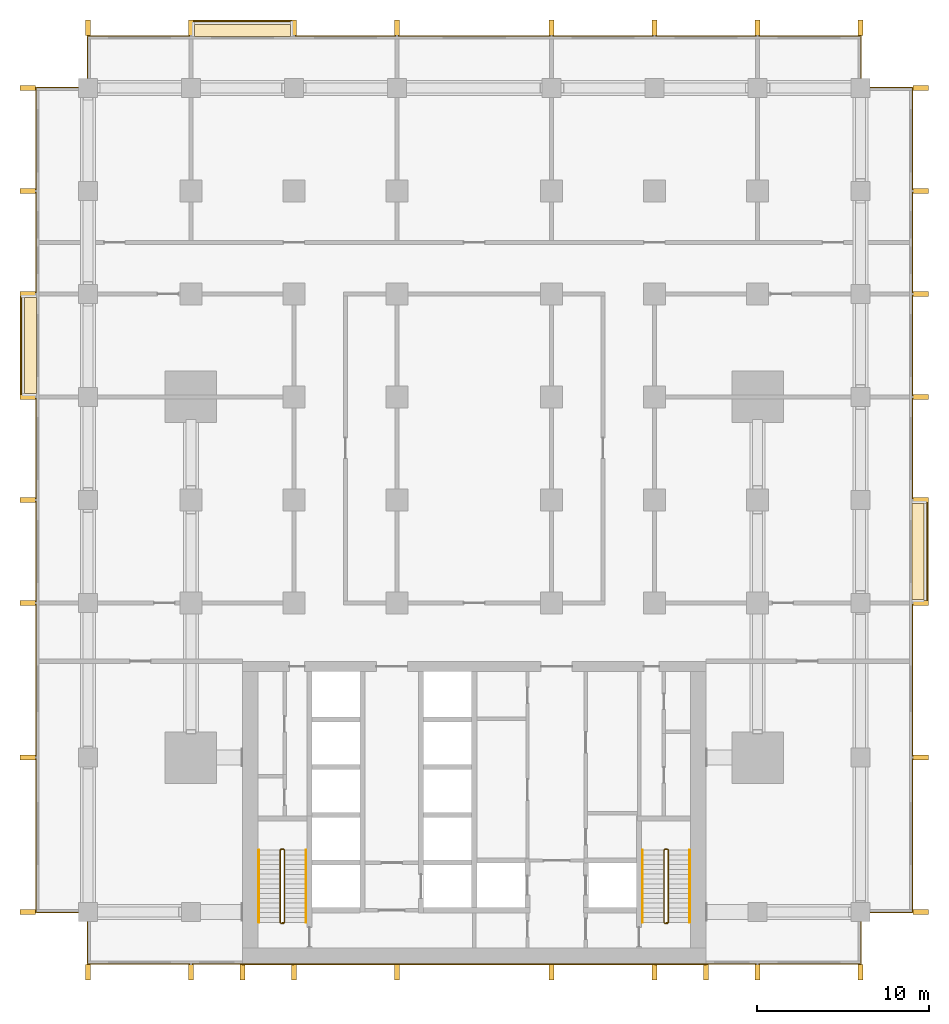
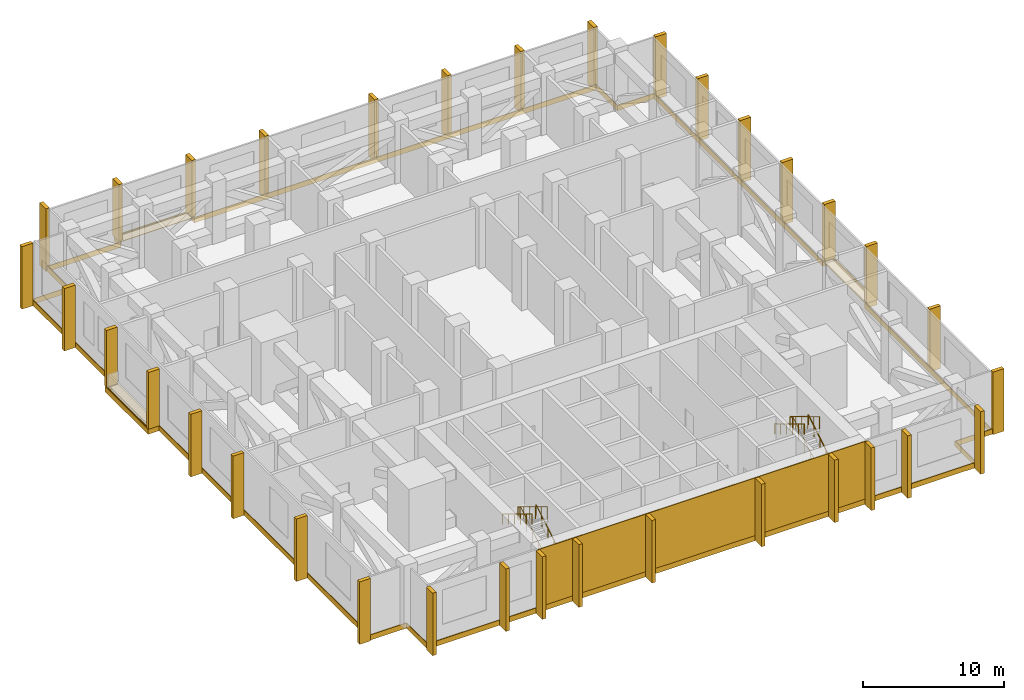
# One storey, part 13 of 13: 34 shading devices, 9 coverings, 6 railings.
"""IFC4 building model written with IfcOpenShell, lengths in metres."""

from ifc_helpers import new_model, si_unit, direction, frame, origin, origin_2d, place, context, subcontext, project, spatial, polyline, rectangle, circle, outline, extrude, material, layer, layer_set, type_object, element, save


model = new_model("IFC4")

# Units and contexts
model_context = context("Model", 3, precision=1e-05, world=origin(), true_north=direction((0.0, 1.0)))
body_context = subcontext(model_context, "Body", "Model", "MODEL_VIEW")
ifc_project = project(units=[si_unit("LENGTHUNIT", "METRE"), si_unit("AREAUNIT", "SQUARE_METRE"), si_unit("VOLUMEUNIT", "CUBIC_METRE"), si_unit("PLANEANGLEUNIT", "RADIAN"), si_unit("MASSUNIT", "GRAM", prefix="KILO")], contexts=[model_context])

# Site, building, storey
site_placement = place(None, origin())
site = spatial("IfcSite", under=ifc_project, at=site_placement, CompositionType="ELEMENT")
building_placement = place(site_placement, origin())
building = spatial("IfcBuilding", under=site, at=building_placement, Name="Finial Court Residences", CompositionType="ELEMENT")
storey_placement = place(building_placement, frame((0.0, 0.0, 75.699951171875)))
storey = spatial("IfcBuildingStorey", under=building, at=storey_placement, Name="L18", CompositionType="ELEMENT", Elevation=75.699951171875)

# Coverings
ifc_material_1 = material(Name="Natural limestone", Category="masonry")
ifc_layer_1 = layer(ifc_material_1, 0.06005859375)
ifc_layer_set_1 = layer_set([ifc_layer_1], Name="Limestone cladding to the blind core face 60")
covering_type_1 = type_object("IfcCoveringType", Name="Limestone cladding to the blind core face 60", PredefinedType="CLADDING", material=ifc_layer_set_1)
covering_1_placement = place(storey_placement, origin())
element("IfcCovering", 1, at=covering_1_placement, inside=storey, type_object=covering_type_1, Name="E-L18-CLAD1", PredefinedType="CLADDING", context=body_context, shape_type="SweptSolid", body=[
    extrude(outline(polyline([(-10.5, -25.56005859375), (-10.5, -25.5), (-13.5, -25.5), (-13.5, -25.56005859375), (-10.5, -25.56005859375)])), origin(), (0.0, 0.0, 1.0), 5.0),
])
covering_2_placement = place(storey_placement, origin())
element("IfcCovering", 2, at=covering_2_placement, inside=storey, type_object=covering_type_1, Name="E-L18-CLAD2", PredefinedType="CLADDING", context=body_context, shape_type="SweptSolid", body=[
    extrude(outline(polyline([(-4.5, -25.56005859375), (-4.5, -25.5), (-10.5, -25.5), (-10.5, -25.56005859375), (-4.5, -25.56005859375)])), origin(), (0.0, 0.0, 1.0), 5.0),
])
covering_3_placement = place(storey_placement, origin())
element("IfcCovering", 3, at=covering_3_placement, inside=storey, type_object=covering_type_1, Name="E-L18-CLAD3", PredefinedType="CLADDING", context=body_context, shape_type="SweptSolid", body=[
    extrude(outline(polyline([(4.5, -25.56005859375), (4.5, -25.5), (-4.5, -25.5), (-4.5, -25.56005859375), (4.5, -25.56005859375)])), origin(), (0.0, 0.0, 1.0), 5.0),
])
covering_4_placement = place(storey_placement, origin())
element("IfcCovering", 4, at=covering_4_placement, inside=storey, type_object=covering_type_1, Name="E-L18-CLAD4", PredefinedType="CLADDING", context=body_context, shape_type="SweptSolid", body=[
    extrude(outline(polyline([(10.5, -25.56005859375), (10.5, -25.5), (4.5, -25.5), (4.5, -25.56005859375), (10.5, -25.56005859375)])), origin(), (0.0, 0.0, 1.0), 5.0),
])
covering_5_placement = place(storey_placement, origin())
element("IfcCovering", 5, at=covering_5_placement, inside=storey, type_object=covering_type_1, Name="E-L18-CLAD5", PredefinedType="CLADDING", context=body_context, shape_type="SweptSolid", body=[
    extrude(outline(polyline([(13.5, -25.56005859375), (13.5, -25.5), (10.5, -25.5), (10.5, -25.56005859375), (13.5, -25.56005859375)])), origin(), (0.0, 0.0, 1.0), 5.0),
])

# Shading devices
shading_device_type = type_object("IfcShadingDeviceType", Name="Limestone fin 300 x 900", PredefinedType="USERDEFINED", material=ifc_material_1)
shading_device_placement = place(storey_placement, frame((-22.5, 29.010009765625, -0.44970703125), z_axis=(0.0, 0.0, 1.0), x_axis=(1.0, 0.0, 0.0)))
element("IfcShadingDevice", 6, at=shading_device_placement, inside=storey, type_object=shading_device_type, Name="E-L18-FIN-N1", ObjectType="FIN", PredefinedType="USERDEFINED", context=body_context, shape_type="SweptSolid", body=[
    extrude(rectangle(XDim=0.300048828125, YDim=0.89990234375, at=origin_2d()), origin(), (0.0, 0.0, 1.0), 5.429931640625),
])
for number, where, z_axis, x_axis, name in (
    (7, (-16.5, 29.010009765625, 0.0400390625), (0.0, 0.0, 1.0), (1.0, 0.0, 0.0), "E-L18-FIN-N2"),
    (8, (-10.5, 29.010009765625, 0.0400390625), (0.0, 0.0, 1.0), (1.0, 0.0, 0.0), "E-L18-FIN-N3"),
):
    element("IfcShadingDevice", number, at=place(storey_placement, frame(where, z_axis=z_axis, x_axis=x_axis)), inside=storey, type_object=shading_device_type, Name=name, ObjectType="FIN", PredefinedType="USERDEFINED", context=body_context, shape_type="SweptSolid", body=[
        extrude(rectangle(XDim=0.300048828125, YDim=0.89990234375, at=origin_2d()), origin(), (0.0, 0.0, 1.0), 4.93994140625),
    ])
for number, where, z_axis, x_axis, name in (
    (9, (-4.5, 29.010009765625, -0.44970703125), (0.0, 0.0, 1.0), (1.0, 0.0, 0.0), "E-L18-FIN-N4"),
    (10, (4.5, 29.010009765625, -0.44970703125), (0.0, 0.0, 1.0), (1.0, 0.0, 0.0), "E-L18-FIN-N5"),
    (11, (10.5, 29.010009765625, -0.44970703125), (0.0, 0.0, 1.0), (1.0, 0.0, 0.0), "E-L18-FIN-N6"),
    (12, (16.5, 29.010009765625, -0.44970703125), (0.0, 0.0, 1.0), (1.0, 0.0, 0.0), "E-L18-FIN-N7"),
    (13, (22.5, 29.010009765625, -0.44970703125), (0.0, 0.0, 1.0), (1.0, 0.0, 0.0), "E-L18-FIN-N8"),
):
    element("IfcShadingDevice", number, at=place(storey_placement, frame(where, z_axis=z_axis, x_axis=x_axis)), inside=storey, type_object=shading_device_type, Name=name, ObjectType="FIN", PredefinedType="USERDEFINED", context=body_context, shape_type="SweptSolid", body=[
        extrude(rectangle(XDim=0.300048828125, YDim=0.89990234375, at=origin_2d()), origin(), (0.0, 0.0, 1.0), 5.429931640625),
    ])
for number, where, z_axis, x_axis, name in (
    (14, (26.010009765625, -22.5, -0.44970703125), (0.0, 0.0, 1.0), (1.0, 0.0, 0.0), "E-L18-FIN-E9"),
    (15, (26.010009765625, -13.5, -0.44970703125), (0.0, 0.0, 1.0), (1.0, 0.0, 0.0), "E-L18-FIN-E10"),
):
    element("IfcShadingDevice", number, at=place(storey_placement, frame(where, z_axis=z_axis, x_axis=x_axis)), inside=storey, type_object=shading_device_type, Name=name, ObjectType="FIN", PredefinedType="USERDEFINED", context=body_context, shape_type="SweptSolid", body=[
        extrude(rectangle(XDim=0.89990234375, YDim=0.300048828125, at=origin_2d()), origin(), (0.0, 0.0, 1.0), 5.429931640625),
    ])
for number, where, z_axis, x_axis, name in (
    (16, (26.010009765625, -4.5, 0.0400390625), (0.0, 0.0, 1.0), (1.0, 0.0, 0.0), "E-L18-FIN-E11"),
    (17, (26.010009765625, 1.5, 0.0400390625), (0.0, 0.0, 1.0), (1.0, 0.0, 0.0), "E-L18-FIN-E12"),
):
    element("IfcShadingDevice", number, at=place(storey_placement, frame(where, z_axis=z_axis, x_axis=x_axis)), inside=storey, type_object=shading_device_type, Name=name, ObjectType="FIN", PredefinedType="USERDEFINED", context=body_context, shape_type="SweptSolid", body=[
        extrude(rectangle(XDim=0.89990234375, YDim=0.300048828125, at=origin_2d()), origin(), (0.0, 0.0, 1.0), 4.93994140625),
    ])
for number, where, z_axis, x_axis, name in (
    (18, (26.010009765625, 7.5, -0.44970703125), (0.0, 0.0, 1.0), (1.0, 0.0, 0.0), "E-L18-FIN-E13"),
    (19, (26.010009765625, 13.5, -0.44970703125), (0.0, 0.0, 1.0), (1.0, 0.0, 0.0), "E-L18-FIN-E14"),
    (20, (26.010009765625, 19.5, -0.44970703125), (0.0, 0.0, 1.0), (1.0, 0.0, 0.0), "E-L18-FIN-E15"),
    (21, (26.010009765625, 25.5, -0.44970703125), (0.0, 0.0, 1.0), (1.0, 0.0, 0.0), "E-L18-FIN-E16"),
):
    element("IfcShadingDevice", number, at=place(storey_placement, frame(where, z_axis=z_axis, x_axis=x_axis)), inside=storey, type_object=shading_device_type, Name=name, ObjectType="FIN", PredefinedType="USERDEFINED", context=body_context, shape_type="SweptSolid", body=[
        extrude(rectangle(XDim=0.89990234375, YDim=0.300048828125, at=origin_2d()), origin(), (0.0, 0.0, 1.0), 5.429931640625),
    ])
for number, where, z_axis, x_axis, name in (
    (22, (-22.5, -26.010009765625, -0.44970703125), (0.0, 0.0, 1.0), (1.0, 0.0, 0.0), "E-L18-FIN-S17"),
    (23, (-16.5, -26.010009765625, -0.44970703125), (0.0, 0.0, 1.0), (1.0, 0.0, 0.0), "E-L18-FIN-S18"),
    (24, (-13.5, -26.010009765625, -0.44970703125), (0.0, 0.0, 1.0), (1.0, 0.0, 0.0), "E-L18-FIN-S19"),
    (25, (-10.5, -26.010009765625, -0.44970703125), (0.0, 0.0, 1.0), (1.0, 0.0, 0.0), "E-L18-FIN-S20"),
    (26, (-4.5, -26.010009765625, -0.44970703125), (0.0, 0.0, 1.0), (1.0, 0.0, 0.0), "E-L18-FIN-S21"),
    (27, (4.5, -26.010009765625, -0.44970703125), (0.0, 0.0, 1.0), (1.0, 0.0, 0.0), "E-L18-FIN-S22"),
    (28, (10.5, -26.010009765625, -0.44970703125), (0.0, 0.0, 1.0), (1.0, 0.0, 0.0), "E-L18-FIN-S23"),
    (29, (13.5, -26.010009765625, -0.44970703125), (0.0, 0.0, 1.0), (1.0, 0.0, 0.0), "E-L18-FIN-S24"),
    (30, (16.5, -26.010009765625, -0.44970703125), (0.0, 0.0, 1.0), (1.0, 0.0, 0.0), "E-L18-FIN-S25"),
    (31, (22.5, -26.010009765625, -0.44970703125), (0.0, 0.0, 1.0), (1.0, 0.0, 0.0), "E-L18-FIN-S26"),
):
    element("IfcShadingDevice", number, at=place(storey_placement, frame(where, z_axis=z_axis, x_axis=x_axis)), inside=storey, type_object=shading_device_type, Name=name, ObjectType="FIN", PredefinedType="USERDEFINED", context=body_context, shape_type="SweptSolid", body=[
        extrude(rectangle(XDim=0.300048828125, YDim=0.89990234375, at=origin_2d()), origin(), (0.0, 0.0, 1.0), 5.429931640625),
    ])
for number, where, z_axis, x_axis, name in (
    (32, (-26.010009765625, -22.5, -0.44970703125), (0.0, 0.0, 1.0), (1.0, 0.0, 0.0), "E-L18-FIN-W27"),
    (33, (-26.010009765625, -13.5, -0.44970703125), (0.0, 0.0, 1.0), (1.0, 0.0, 0.0), "E-L18-FIN-W28"),
    (34, (-26.010009765625, -4.5, -0.44970703125), (0.0, 0.0, 1.0), (1.0, 0.0, 0.0), "E-L18-FIN-W29"),
    (35, (-26.010009765625, 1.5, -0.44970703125), (0.0, 0.0, 1.0), (1.0, 0.0, 0.0), "E-L18-FIN-W30"),
):
    element("IfcShadingDevice", number, at=place(storey_placement, frame(where, z_axis=z_axis, x_axis=x_axis)), inside=storey, type_object=shading_device_type, Name=name, ObjectType="FIN", PredefinedType="USERDEFINED", context=body_context, shape_type="SweptSolid", body=[
        extrude(rectangle(XDim=0.89990234375, YDim=0.300048828125, at=origin_2d()), origin(), (0.0, 0.0, 1.0), 5.429931640625),
    ])
for number, where, z_axis, x_axis, name in (
    (36, (-26.010009765625, 7.5, 0.0400390625), (0.0, 0.0, 1.0), (1.0, 0.0, 0.0), "E-L18-FIN-W31"),
    (37, (-26.010009765625, 13.5, 0.0400390625), (0.0, 0.0, 1.0), (1.0, 0.0, 0.0), "E-L18-FIN-W32"),
):
    element("IfcShadingDevice", number, at=place(storey_placement, frame(where, z_axis=z_axis, x_axis=x_axis)), inside=storey, type_object=shading_device_type, Name=name, ObjectType="FIN", PredefinedType="USERDEFINED", context=body_context, shape_type="SweptSolid", body=[
        extrude(rectangle(XDim=0.89990234375, YDim=0.300048828125, at=origin_2d()), origin(), (0.0, 0.0, 1.0), 4.93994140625),
    ])
for number, where, z_axis, x_axis, name in (
    (38, (-26.010009765625, 19.5, -0.44970703125), (0.0, 0.0, 1.0), (1.0, 0.0, 0.0), "E-L18-FIN-W33"),
    (39, (-26.010009765625, 25.5, -0.44970703125), (0.0, 0.0, 1.0), (1.0, 0.0, 0.0), "E-L18-FIN-W34"),
):
    element("IfcShadingDevice", number, at=place(storey_placement, frame(where, z_axis=z_axis, x_axis=x_axis)), inside=storey, type_object=shading_device_type, Name=name, ObjectType="FIN", PredefinedType="USERDEFINED", context=body_context, shape_type="SweptSolid", body=[
        extrude(rectangle(XDim=0.89990234375, YDim=0.300048828125, at=origin_2d()), origin(), (0.0, 0.0, 1.0), 5.429931640625),
    ])

# Coverings
ifc_material_2 = material(Name="Pale limestone", Category="masonry")
ifc_layer_2 = layer(ifc_material_2, 0.06005859375)
ifc_layer_set_2 = layer_set([ifc_layer_2], Name="Pale limestone slab-edge band 60")
covering_type_2 = type_object("IfcCoveringType", Name="Pale limestone slab-edge band 60", PredefinedType="CLADDING", material=ifc_layer_set_2)
covering_6_placement = place(storey_placement, frame((0.0, 0.0, -0.449951171875)))
element("IfcCovering", 40, at=covering_6_placement, inside=storey, type_object=covering_type_2, Name="E-L18-BAND1", PredefinedType="CLADDING", context=body_context, shape_type="SweptSolid", body=[
    extrude(outline(polyline([(25.56005859375, -4.56005859375), (25.56005859375, -22.56005859375), (22.56005859375, -22.56005859375), (22.56005859375, -25.56005859375), (-22.56005859375, -25.56005859375), (-22.56005859375, -22.56005859375), (-25.56005859375, -22.56005859375), (-25.56005859375, 7.43994140625), (-26.4599609375, 7.43994140625), (-26.4599609375, 13.56005859375), (-25.56005859375, 13.56005859375), (-25.56005859375, 25.56005859375), (-22.56005859375, 25.56005859375), (-22.56005859375, 28.56005859375), (-16.56005859375, 28.56005859375), (-16.56005859375, 29.4599609375), (-10.43994140625, 29.4599609375), (-10.43994140625, 28.56005859375), (22.56005859375, 28.56005859375), (22.56005859375, 25.56005859375), (25.56005859375, 25.56005859375), (25.56005859375, 1.56005859375), (26.4599609375, 1.56005859375), (26.4599609375, -4.56005859375), (25.56005859375, -4.56005859375)]), holes=[polyline([(26.39990234375, 1.5), (25.5, 1.5), (25.5, 25.5), (22.5, 25.5), (22.5, 28.5), (-10.5, 28.5), (-10.5, 29.39990234375), (-16.5, 29.39990234375), (-16.5, 28.5), (-22.5, 28.5), (-22.5, 25.5), (-25.5, 25.5), (-25.5, 13.5), (-26.39990234375, 13.5), (-26.39990234375, 7.5), (-25.5, 7.5), (-25.5, -22.5), (-22.5, -22.5), (-22.5, -25.5), (22.5, -25.5), (22.5, -22.5), (25.5, -22.5), (25.5, -4.5), (26.39990234375, -4.5), (26.39990234375, 1.5)])]), origin(), (0.0, 0.0, 1.0), 0.449951171875),
])
ifc_material_3 = material(Name="Bitumen membrane")
ifc_layer_3 = layer(ifc_material_3, 0.0400390625)
ifc_layer_set_3 = layer_set([ifc_layer_3], Name="Push box roofing, bitumen membrane 40")
covering_type_3 = type_object("IfcCoveringType", Name="Push box roofing, bitumen membrane 40", PredefinedType="ROOFING", material=ifc_layer_set_3)
covering_7_placement = place(storey_placement, origin())
element("IfcCovering", 41, at=covering_7_placement, inside=storey, type_object=covering_type_3, Name="E-L18-LED1", PredefinedType="ROOFING", context=body_context, shape_type="SweptSolid", body=[
    extrude(outline(polyline([(26.39990234375, 1.5), (26.39990234375, -4.5), (25.5, -4.5), (25.5, 1.5), (26.39990234375, 1.5)]), holes=[polyline([(25.510009765625, -4.449951171875), (26.199951171875, -4.449951171875), (26.35009765625, -4.449951171875), (26.35009765625, 1.300048828125), (26.35009765625, 1.300048828125), (26.35009765625, 1.449951171875), (25.510009765625, 1.449951171875), (25.510009765625, 1.300048828125), (26.199951171875, 1.300048828125), (26.199951171875, -4.300048828125), (25.510009765625, -4.300048828125), (25.510009765625, -4.449951171875)])]), origin(), (0.0, 0.0, 1.0), 0.0400390625),
])
covering_8_placement = place(storey_placement, origin())
element("IfcCovering", 42, at=covering_8_placement, inside=storey, type_object=covering_type_3, Name="E-L18-LED2b", PredefinedType="ROOFING", context=body_context, shape_type="SweptSolid", body=[
    extrude(outline(polyline([(-25.5, 13.5), (-25.5, 7.5), (-26.39990234375, 7.5), (-26.39990234375, 13.300048828125), (-26.35009765625, 13.300048828125), (-26.35009765625, 7.699951171875), (-26.35009765625, 7.699951171875), (-26.35009765625, 7.550048828125), (-25.510009765625, 7.550048828125), (-25.510009765625, 7.699951171875), (-26.199951171875, 7.699951171875), (-26.199951171875, 13.300048828125), (-25.510009765625, 13.300048828125), (-25.510009765625, 13.449951171875), (-26.199951171875, 13.449951171875), (-26.199951171875, 13.5), (-25.5, 13.5)])), origin(), (0.0, 0.0, 1.0), 0.0400390625),
])
covering_9_placement = place(storey_placement, origin())
element("IfcCovering", 43, at=covering_9_placement, inside=storey, type_object=covering_type_3, Name="E-L18-LED3b", PredefinedType="ROOFING", context=body_context, shape_type="SweptSolid", body=[
    extrude(outline(polyline([(-10.5, 28.5), (-16.5, 28.5), (-16.5, 29.39990234375), (-10.699951171875, 29.39990234375), (-10.699951171875, 29.35009765625), (-16.300048828125, 29.35009765625), (-16.300048828125, 29.35009765625), (-16.449951171875, 29.35009765625), (-16.449951171875, 28.510009765625), (-16.300048828125, 28.510009765625), (-16.300048828125, 29.199951171875), (-10.699951171875, 29.199951171875), (-10.699951171875, 28.510009765625), (-10.550048828125, 28.510009765625), (-10.550048828125, 29.199951171875), (-10.5, 29.199951171875), (-10.5, 28.5)])), origin(), (0.0, 0.0, 1.0), 0.0400390625),
])

# Railings
ifc_material_4 = material(Name="Stainless steel railing", Category="steel")
railing_type_1 = type_object("IfcRailingType", Name="Stair guard 1100", PredefinedType="GUARDRAIL", material=ifc_material_4)
railing_1_placement = place(storey_placement, frame((-11.10009765625, -23.14990234375, 0.0)))
element("IfcRailing", 44, at=railing_1_placement, inside=storey, type_object=railing_type_1, Name="L18 ST-1 stair guard 1", PredefinedType="GUARDRAIL", context=body_context, shape_type="SweptSolid", body=[
    extrude(circle(Radius=0.02392578125, at=origin_2d()), frame((0.0, 0.0, 1.076171875), z_axis=(-1.0, 0.0, 0.0), x_axis=(0.0, -1.0, 0.0)), (0.0, 0.0, 1.0), 0.14990234375),
    extrude(circle(Radius=0.02392578125, at=origin_2d()), frame((-0.14990234375, 0.0, 1.076171875), z_axis=(0.750820867278, 0.187017651923, 0.633476458228), x_axis=(-0.241699205484, 0.970351222016, 0.0)), (0.0, 0.0, 1.0), 0.266357421875),
    extrude(circle(Radius=0.02392578125, at=origin_2d()), frame((0.050048828125, 0.0498046875, 1.24462890625), z_axis=(0.0, 0.856489757249, 0.516164020179), x_axis=(-1.0, 0.0, 0.0)), (0.0, 0.0, 1.0), 4.904052734375),
    extrude(circle(Radius=0.02392578125, at=origin_2d()), frame((0.050048828125, 4.25, 3.77587890625), z_axis=(-0.708833529934, 0.705375805398, 0.0), x_axis=(-0.705375805398, -0.708833529934, 0.0)), (0.0, 0.0, 1.0), 0.070556640625),
    extrude(circle(Radius=0.02392578125, at=origin_2d()), frame((0.0, 4.2998046875, 3.77587890625), z_axis=(-1.0, 0.0, 0.0), x_axis=(0.0, -1.0, 0.0)), (0.0, 0.0, 1.0), 0.14990234375),
    extrude(circle(Radius=0.02392578125, at=origin_2d()), frame((-0.14990234375, 4.2998046875, 3.77587890625), z_axis=(-0.273332118527, -0.271998791119, 0.922662565953), x_axis=(0.705375805398, -0.708833529934, 0.0)), (0.0, 0.0, 1.0), 0.18310546875),
    extrude(circle(Radius=0.02392578125, at=origin_2d()), frame((-0.199951171875, 4.25, 3.94482421875), z_axis=(0.0, -0.856489757249, 0.516164020179), x_axis=(1.0, 0.0, 0.0)), (0.0, 0.0, 1.0), 4.904052734375),
    extrude(circle(Radius=0.02099609375, at=origin_2d()), origin(), (0.0, 0.0, 1.0), 1.052001953125),
    extrude(circle(Radius=0.02099609375, at=origin_2d()), frame((-0.14990234375, 0.0, 0.0)), (0.0, 0.0, 1.0), 1.052001953125),
    extrude(circle(Radius=0.02099609375, at=origin_2d()), frame((0.050048828125, 0.0498046875, 0.168701171875)), (0.0, 0.0, 1.0), 1.052001953125),
    extrude(circle(Radius=0.02099609375, at=origin_2d()), frame((0.050048828125, 0.889892578125, 0.675048828125)), (0.0, 0.0, 1.0), 1.052001953125),
    extrude(circle(Radius=0.02099609375, at=origin_2d()), frame((0.050048828125, 1.72998046875, 1.18115234375)), (0.0, 0.0, 1.0), 1.052001953125),
    extrude(circle(Radius=0.02099609375, at=origin_2d()), frame((0.050048828125, 2.56982421875, 1.6875)), (0.0, 0.0, 1.0), 1.052001953125),
    extrude(circle(Radius=0.02099609375, at=origin_2d()), frame((0.050048828125, 3.409912109375, 2.193603515625)), (0.0, 0.0, 1.0), 1.052001953125),
    extrude(circle(Radius=0.02099609375, at=origin_2d()), frame((0.050048828125, 4.25, 2.699951171875)), (0.0, 0.0, 1.0), 1.052001953125),
    extrude(circle(Radius=0.02099609375, at=origin_2d()), frame((0.0, 4.2998046875, 2.699951171875)), (0.0, 0.0, 1.0), 1.052001953125),
    extrude(circle(Radius=0.02099609375, at=origin_2d()), frame((-0.14990234375, 4.2998046875, 2.699951171875)), (0.0, 0.0, 1.0), 1.052001953125),
    extrude(circle(Radius=0.02099609375, at=origin_2d()), frame((-0.199951171875, 4.25, 2.868896484375)), (0.0, 0.0, 1.0), 1.052001953125),
    extrude(circle(Radius=0.02099609375, at=origin_2d()), frame((-0.199951171875, 3.409912109375, 3.375244140625)), (0.0, 0.0, 1.0), 1.052001953125),
    extrude(circle(Radius=0.02099609375, at=origin_2d()), frame((-0.199951171875, 2.56982421875, 3.88134765625)), (0.0, 0.0, 1.0), 1.052001953125),
    extrude(circle(Radius=0.02099609375, at=origin_2d()), frame((-0.199951171875, 1.72998046875, 4.3876953125)), (0.0, 0.0, 1.0), 1.052001953125),
    extrude(circle(Radius=0.02099609375, at=origin_2d()), frame((-0.199951171875, 0.889892578125, 4.893798828125)), (0.0, 0.0, 1.0), 1.052001953125),
    extrude(circle(Radius=0.02099609375, at=origin_2d()), frame((-0.199951171875, 0.0498046875, 5.400146484375)), (0.0, 0.0, 1.0), 1.052001953125),
])
railing_2_placement = place(storey_placement, frame((11.25, -23.14990234375, 0.0)))
element("IfcRailing", 45, at=railing_2_placement, inside=storey, type_object=railing_type_1, Name="L18 ST-2 stair guard 1", PredefinedType="GUARDRAIL", context=body_context, shape_type="SweptSolid", body=[
    extrude(circle(Radius=0.02392578125, at=origin_2d()), frame((0.0, 0.0, 1.076171875), z_axis=(-1.0, 0.0, 0.0), x_axis=(0.0, -1.0, 0.0)), (0.0, 0.0, 1.0), 0.14990234375),
    extrude(circle(Radius=0.02392578125, at=origin_2d()), frame((-0.14990234375, 0.0, 1.076171875), z_axis=(0.750820867278, 0.187017651923, 0.633476458228), x_axis=(-0.241699205484, 0.970351222016, 0.0)), (0.0, 0.0, 1.0), 0.266357421875),
    extrude(circle(Radius=0.02392578125, at=origin_2d()), frame((0.050048828125, 0.0498046875, 1.24462890625), z_axis=(0.0, 0.856489757249, 0.516164020179), x_axis=(-1.0, 0.0, 0.0)), (0.0, 0.0, 1.0), 4.904052734375),
    extrude(circle(Radius=0.02392578125, at=origin_2d()), frame((0.050048828125, 4.25, 3.77587890625), z_axis=(-0.708833529934, 0.705375805398, 0.0), x_axis=(-0.705375805398, -0.708833529934, 0.0)), (0.0, 0.0, 1.0), 0.070556640625),
    extrude(circle(Radius=0.02392578125, at=origin_2d()), frame((0.0, 4.2998046875, 3.77587890625), z_axis=(-1.0, 0.0, 0.0), x_axis=(0.0, -1.0, 0.0)), (0.0, 0.0, 1.0), 0.14990234375),
    extrude(circle(Radius=0.02392578125, at=origin_2d()), frame((-0.14990234375, 4.2998046875, 3.77587890625), z_axis=(-0.273332118527, -0.271998791119, 0.922662565953), x_axis=(0.705375805398, -0.708833529934, 0.0)), (0.0, 0.0, 1.0), 0.18310546875),
    extrude(circle(Radius=0.02392578125, at=origin_2d()), frame((-0.199951171875, 4.25, 3.94482421875), z_axis=(0.0, -0.856489757249, 0.516164020179), x_axis=(1.0, 0.0, 0.0)), (0.0, 0.0, 1.0), 4.904052734375),
    extrude(circle(Radius=0.02099609375, at=origin_2d()), origin(), (0.0, 0.0, 1.0), 1.052001953125),
    extrude(circle(Radius=0.02099609375, at=origin_2d()), frame((-0.14990234375, 0.0, 0.0)), (0.0, 0.0, 1.0), 1.052001953125),
    extrude(circle(Radius=0.02099609375, at=origin_2d()), frame((0.050048828125, 0.0498046875, 0.168701171875)), (0.0, 0.0, 1.0), 1.052001953125),
    extrude(circle(Radius=0.02099609375, at=origin_2d()), frame((0.050048828125, 0.889892578125, 0.675048828125)), (0.0, 0.0, 1.0), 1.052001953125),
    extrude(circle(Radius=0.02099609375, at=origin_2d()), frame((0.050048828125, 1.72998046875, 1.18115234375)), (0.0, 0.0, 1.0), 1.052001953125),
    extrude(circle(Radius=0.02099609375, at=origin_2d()), frame((0.050048828125, 2.56982421875, 1.6875)), (0.0, 0.0, 1.0), 1.052001953125),
    extrude(circle(Radius=0.02099609375, at=origin_2d()), frame((0.050048828125, 3.409912109375, 2.193603515625)), (0.0, 0.0, 1.0), 1.052001953125),
    extrude(circle(Radius=0.02099609375, at=origin_2d()), frame((0.050048828125, 4.25, 2.699951171875)), (0.0, 0.0, 1.0), 1.052001953125),
    extrude(circle(Radius=0.02099609375, at=origin_2d()), frame((0.0, 4.2998046875, 2.699951171875)), (0.0, 0.0, 1.0), 1.052001953125),
    extrude(circle(Radius=0.02099609375, at=origin_2d()), frame((-0.14990234375, 4.2998046875, 2.699951171875)), (0.0, 0.0, 1.0), 1.052001953125),
    extrude(circle(Radius=0.02099609375, at=origin_2d()), frame((-0.199951171875, 4.25, 2.868896484375)), (0.0, 0.0, 1.0), 1.052001953125),
    extrude(circle(Radius=0.02099609375, at=origin_2d()), frame((-0.199951171875, 3.409912109375, 3.375244140625)), (0.0, 0.0, 1.0), 1.052001953125),
    extrude(circle(Radius=0.02099609375, at=origin_2d()), frame((-0.199951171875, 2.56982421875, 3.88134765625)), (0.0, 0.0, 1.0), 1.052001953125),
    extrude(circle(Radius=0.02099609375, at=origin_2d()), frame((-0.199951171875, 1.72998046875, 4.3876953125)), (0.0, 0.0, 1.0), 1.052001953125),
    extrude(circle(Radius=0.02099609375, at=origin_2d()), frame((-0.199951171875, 0.889892578125, 4.893798828125)), (0.0, 0.0, 1.0), 1.052001953125),
    extrude(circle(Radius=0.02099609375, at=origin_2d()), frame((-0.199951171875, 0.0498046875, 5.400146484375)), (0.0, 0.0, 1.0), 1.052001953125),
])
railing_type_2 = type_object("IfcRailingType", Name="Stair handrail 900", PredefinedType="HANDRAIL", material=ifc_material_4)
railing_3_placement = place(storey_placement, frame((-9.800048828125, -23.10009765625, 0.168701171875)))
element("IfcRailing", 46, at=railing_3_placement, inside=storey, type_object=railing_type_2, Name="L18 ST-1 stair handrail 1", PredefinedType="HANDRAIL", context=body_context, shape_type="SweptSolid", body=[
    extrude(circle(Radius=0.02392578125, at=origin_2d()), frame((0.0, 0.0, 0.8759765625), z_axis=(0.0, 0.856489757249, 0.516164020179), x_axis=(-1.0, 0.0, 0.0)), (0.0, 0.0, 1.0), 4.904052734375),
    extrude(circle(Radius=0.02099609375, at=origin_2d()), origin(), (0.0, 0.0, 1.0), 0.851806640625),
    extrude(circle(Radius=0.02099609375, at=origin_2d()), frame((0.0, 0.840087890625, 0.50634765625)), (0.0, 0.0, 1.0), 0.851806640625),
    extrude(circle(Radius=0.02099609375, at=origin_2d()), frame((0.0, 1.68017578125, 1.012451171875)), (0.0, 0.0, 1.0), 0.851806640625),
    extrude(circle(Radius=0.02099609375, at=origin_2d()), frame((0.0, 2.52001953125, 1.518798828125)), (0.0, 0.0, 1.0), 0.851806640625),
    extrude(circle(Radius=0.02099609375, at=origin_2d()), frame((0.0, 3.360107421875, 2.02490234375)), (0.0, 0.0, 1.0), 0.851806640625),
    extrude(circle(Radius=0.02099609375, at=origin_2d()), frame((0.0, 4.2001953125, 2.53125)), (0.0, 0.0, 1.0), 0.851806640625),
])
railing_4_placement = place(storey_placement, frame((-12.550048828125, -18.89990234375, 2.868896484375)))
element("IfcRailing", 47, at=railing_4_placement, inside=storey, type_object=railing_type_2, Name="L18 ST-1 stair handrail 2", PredefinedType="HANDRAIL", context=body_context, shape_type="SweptSolid", body=[
    extrude(circle(Radius=0.02392578125, at=origin_2d()), frame((0.0, 0.0, 0.8759765625), z_axis=(0.0, -0.856489757249, 0.516164020179), x_axis=(1.0, 0.0, 0.0)), (0.0, 0.0, 1.0), 4.904052734375),
    extrude(circle(Radius=0.02099609375, at=origin_2d()), origin(), (0.0, 0.0, 1.0), 0.851806640625),
    extrude(circle(Radius=0.02099609375, at=origin_2d()), frame((0.0, -0.840087890625, 0.50634765625)), (0.0, 0.0, 1.0), 0.851806640625),
    extrude(circle(Radius=0.02099609375, at=origin_2d()), frame((0.0, -1.68017578125, 1.012451171875)), (0.0, 0.0, 1.0), 0.851806640625),
    extrude(circle(Radius=0.02099609375, at=origin_2d()), frame((0.0, -2.52001953125, 1.518798828125)), (0.0, 0.0, 1.0), 0.851806640625),
    extrude(circle(Radius=0.02099609375, at=origin_2d()), frame((0.0, -3.360107421875, 2.02490234375)), (0.0, 0.0, 1.0), 0.851806640625),
    extrude(circle(Radius=0.02099609375, at=origin_2d()), frame((0.0, -4.2001953125, 2.53125)), (0.0, 0.0, 1.0), 0.851806640625),
])
railing_5_placement = place(storey_placement, frame((12.550048828125, -23.10009765625, 0.168701171875)))
element("IfcRailing", 48, at=railing_5_placement, inside=storey, type_object=railing_type_2, Name="L18 ST-2 stair handrail 1", PredefinedType="HANDRAIL", context=body_context, shape_type="SweptSolid", body=[
    extrude(circle(Radius=0.02392578125, at=origin_2d()), frame((0.0, 0.0, 0.8759765625), z_axis=(0.0, 0.856489757249, 0.516164020179), x_axis=(-1.0, 0.0, 0.0)), (0.0, 0.0, 1.0), 4.904052734375),
    extrude(circle(Radius=0.02099609375, at=origin_2d()), origin(), (0.0, 0.0, 1.0), 0.851806640625),
    extrude(circle(Radius=0.02099609375, at=origin_2d()), frame((0.0, 0.840087890625, 0.50634765625)), (0.0, 0.0, 1.0), 0.851806640625),
    extrude(circle(Radius=0.02099609375, at=origin_2d()), frame((0.0, 1.68017578125, 1.012451171875)), (0.0, 0.0, 1.0), 0.851806640625),
    extrude(circle(Radius=0.02099609375, at=origin_2d()), frame((0.0, 2.52001953125, 1.518798828125)), (0.0, 0.0, 1.0), 0.851806640625),
    extrude(circle(Radius=0.02099609375, at=origin_2d()), frame((0.0, 3.360107421875, 2.02490234375)), (0.0, 0.0, 1.0), 0.851806640625),
    extrude(circle(Radius=0.02099609375, at=origin_2d()), frame((0.0, 4.2001953125, 2.53125)), (0.0, 0.0, 1.0), 0.851806640625),
])
railing_6_placement = place(storey_placement, frame((9.800048828125, -18.89990234375, 2.868896484375)))
element("IfcRailing", 49, at=railing_6_placement, inside=storey, type_object=railing_type_2, Name="L18 ST-2 stair handrail 2", PredefinedType="HANDRAIL", context=body_context, shape_type="SweptSolid", body=[
    extrude(circle(Radius=0.02392578125, at=origin_2d()), frame((0.0, 0.0, 0.8759765625), z_axis=(0.0, -0.856489757249, 0.516164020179), x_axis=(1.0, 0.0, 0.0)), (0.0, 0.0, 1.0), 4.904052734375),
    extrude(circle(Radius=0.02099609375, at=origin_2d()), origin(), (0.0, 0.0, 1.0), 0.851806640625),
    extrude(circle(Radius=0.02099609375, at=origin_2d()), frame((0.0, -0.840087890625, 0.50634765625)), (0.0, 0.0, 1.0), 0.851806640625),
    extrude(circle(Radius=0.02099609375, at=origin_2d()), frame((0.0, -1.68017578125, 1.012451171875)), (0.0, 0.0, 1.0), 0.851806640625),
    extrude(circle(Radius=0.02099609375, at=origin_2d()), frame((0.0, -2.52001953125, 1.518798828125)), (0.0, 0.0, 1.0), 0.851806640625),
    extrude(circle(Radius=0.02099609375, at=origin_2d()), frame((0.0, -3.360107421875, 2.02490234375)), (0.0, 0.0, 1.0), 0.851806640625),
    extrude(circle(Radius=0.02099609375, at=origin_2d()), frame((0.0, -4.2001953125, 2.53125)), (0.0, 0.0, 1.0), 0.851806640625),
])

save(model, "model.ifc")
